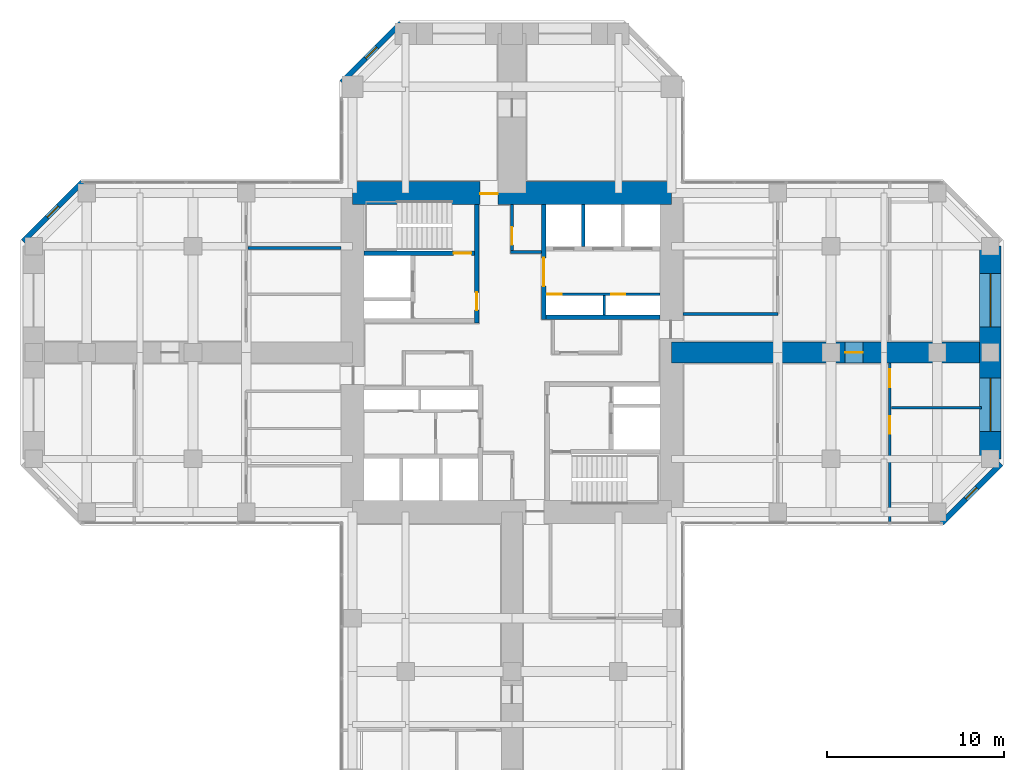
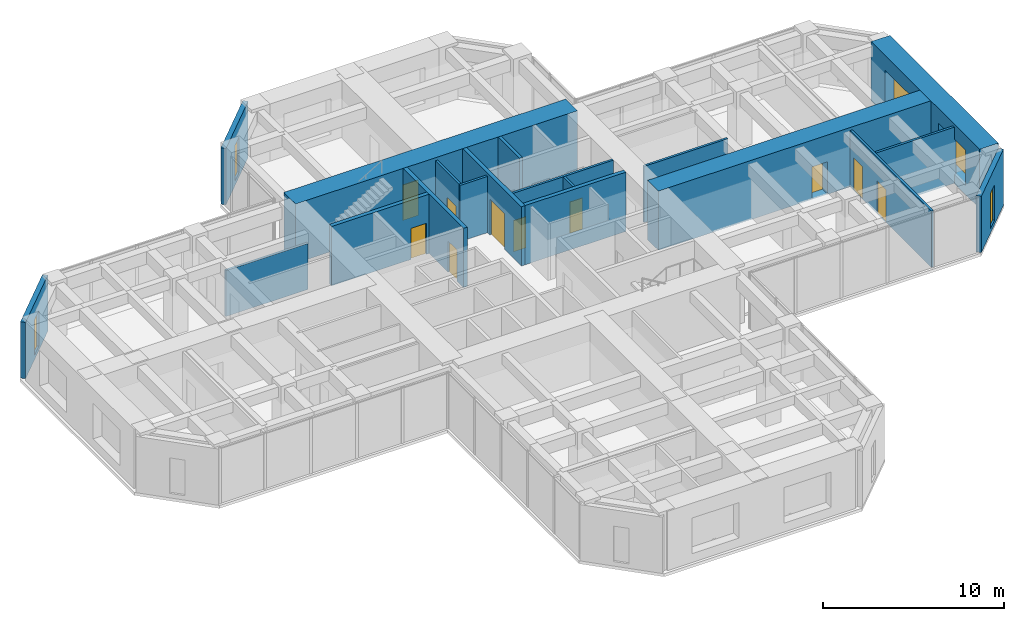
# One storey, part 10 of 12: 19 walls, 10 doors, 5 windows, 15 openings.
"""IFC4 building model written with IfcOpenShell, lengths in metres."""

from ifc_helpers import new_model, si_unit, direction, frame, frame_2d, origin, place, context, subcontext, project, spatial, rectangle, hollow_rectangle, extrude, material, layer, layer_set, constituent, constituent_set, type_object, element, fill, save


model = new_model("IFC4")

# Units and contexts
model_context = context("Model", 3, precision=1e-05, world=origin(), true_north=direction((0.0, 1.0)))
body_context = subcontext(model_context, "Body", "Model", "MODEL_VIEW")
ifc_project = project(units=[si_unit("LENGTHUNIT", "METRE"), si_unit("AREAUNIT", "SQUARE_METRE"), si_unit("VOLUMEUNIT", "CUBIC_METRE"), si_unit("PLANEANGLEUNIT", "RADIAN"), si_unit("MASSUNIT", "GRAM", prefix="KILO")], contexts=[model_context])

# Site, building, storey
site_placement = place(None, origin())
site = spatial("IfcSite", under=ifc_project, at=site_placement, CompositionType="ELEMENT")
building_placement = place(site_placement, origin())
building = spatial("IfcBuilding", under=site, at=building_placement, Name="Torre Cruceta", CompositionType="ELEMENT")
storey_placement = place(building_placement, frame((0.0, 0.0, 108.5)))
storey = spatial("IfcBuildingStorey", under=building, at=storey_placement, Name="L26", CompositionType="ELEMENT", Elevation=108.5)

# Wall, opening, door
ifc_material_1 = material(Name="Concrete G60 (fck 60 MPa)", Category="concrete")
ifc_layer_1 = layer(ifc_material_1, 0.25)
ifc_layer_set_1 = layer_set([ifc_layer_1], Name="Concrete G60 (fck 60 MPa)")
wall_type_1 = type_object("IfcWallType", Name="CORE INNER WALL 250 G60", PredefinedType="SHEAR", material=ifc_layer_set_1)
wall_1_placement = place(storey_placement, frame((1.800048828125, 1.875, 0.0), z_axis=(0.0, 0.0, 1.0), x_axis=(0.0, 1.0, 0.0)))
wall_1 = element("IfcWall", 1, at=wall_1_placement, inside=storey, type_object=wall_type_1, Name="CW4 L26 NE-CU", PredefinedType="SHEAR", context=body_context, shape_type="SweptSolid", body=[
    extrude(rectangle(XDim=6.47509765625, YDim=0.25, at=frame_2d((3.237548828125, 0.0))), origin(), (0.0, 0.0, 1.0), 4.0),
])
opening_1_placement = place(wall_1_placement, frame((1.875, 0.0, 0.0)))
opening_1 = element("IfcOpeningElement", 2, at=opening_1_placement, cuts=wall_1, Name="Opening D8", PredefinedType="OPENING", context=body_context, shape_type="SweptSolid", body=[
    extrude(rectangle(XDim=1.60009765625, YDim=2.39990234375, at=frame_2d((0.800048828125, 1.199951171875))), frame((0.0, 0.135009765625, 0.0), z_axis=(0.0, -1.0, 0.0), x_axis=(1.0, 0.0, 0.0)), (0.0, 0.0, 1.0), 0.27001953125),
])
ifc_material_2 = material(Name="Steel DX51D", Category="steel")
ifc_constituent_1 = constituent(ifc_material_2, Name="Leaf and frame")
ifc_material_3 = material(Name="Polyester powder coating", Category="paint")
ifc_constituent_2 = constituent(ifc_material_3, Name="Finish")
ifc_material_4 = material(Name="Fire-resisting glass", Category="glass")
ifc_constituent_3 = constituent(ifc_material_4, Name="Vision panel")
ifc_constituent_set_1 = constituent_set(constituents=[ifc_constituent_1, ifc_constituent_2, ifc_constituent_3], Name="Steel fire door with vision panels")
door_type_1 = type_object("IfcDoorType", Name="LIFT LOBBY DOUBLE DOOR 1600X2400", OperationType="DOUBLE_DOOR_DOUBLE_SWING", PredefinedType="DOOR", material=ifc_constituent_set_1)
door_1_placement = place(opening_1_placement, origin())
door_1 = element("IfcDoor", 3, at=door_1_placement, inside=storey, type_object=door_type_1, Name="D8 L26 NE-LOBBY", OperationType="DOUBLE_DOOR_DOUBLE_SWING", OverallHeight=2.39990234375, OverallWidth=1.60009765625, PredefinedType="DOOR", context=body_context, shape_type="SweptSolid", body=[
    extrude(rectangle(XDim=1.60009765625, YDim=2.39990234375, at=frame_2d((0.800048828125, 1.199951171875))), frame((0.0, 0.02490234375, 0.0), z_axis=(0.0, -1.0, 0.0), x_axis=(1.0, 0.0, 0.0)), (0.0, 0.0, 1.0), 0.050048828125),
])
fill(opening_1, door_1)

# Wall
wall_2_placement = place(storey_placement, frame((1.925048828125, 2.0, 0.0), z_axis=(0.0, 0.0, 1.0), x_axis=(1.0, 0.0, 0.0)))
element("IfcWall", 4, at=wall_2_placement, inside=storey, type_object=wall_type_1, Name="CW4 L26 NE-CV", PredefinedType="SHEAR", context=body_context, shape_type="SweptSolid", body=[
    extrude(rectangle(XDim=6.425048828125, YDim=0.25, at=frame_2d((3.21240234375, 0.0))), origin(), (0.0, 0.0, 1.0), 4.0),
])

# Wall, opening, door
wall_3_placement = place(storey_placement, frame((-2.0, 1.675048828125, 0.0), z_axis=(0.0, 0.0, 1.0), x_axis=(0.0, 1.0, 0.0)))
wall_3 = element("IfcWall", 5, at=wall_3_placement, inside=storey, type_object=wall_type_1, Name="CW4 L26 NW-CU", PredefinedType="SHEAR", context=body_context, shape_type="SweptSolid", body=[
    extrude(rectangle(XDim=6.675048828125, YDim=0.25, at=frame_2d((3.33740234375, 0.0))), origin(), (0.0, 0.0, 1.0), 4.0),
])
opening_2_placement = place(wall_3_placement, frame((0.72509765625, 0.0, 0.0)))
opening_2 = element("IfcOpeningElement", 6, at=opening_2_placement, cuts=wall_3, Name="Opening D3", PredefinedType="OPENING", context=body_context, shape_type="SweptSolid", body=[
    extrude(rectangle(XDim=1.0, YDim=2.10009765625, at=frame_2d((0.5, 1.050048828125))), frame((0.0, 0.135009765625, 0.0), z_axis=(0.0, -1.0, 0.0), x_axis=(1.0, 0.0, 0.0)), (0.0, 0.0, 1.0), 0.27001953125),
])
ifc_material_5 = material(Name="Steel DX51D", Category="steel")
ifc_constituent_4 = constituent(ifc_material_5, Name="Leaf and frame")
ifc_material_6 = material(Name="Polyester powder coating", Category="paint")
ifc_constituent_5 = constituent(ifc_material_6, Name="Finish")
ifc_constituent_set_2 = constituent_set(constituents=[ifc_constituent_4, ifc_constituent_5], Name="Steel fire door")
door_type_2 = type_object("IfcDoorType", Name="FIRE DOOR 1000X2100", OperationType="SINGLE_SWING_LEFT", PredefinedType="DOOR", material=ifc_constituent_set_2)
door_2_placement = place(opening_2_placement, origin())
door_2 = element("IfcDoor", 7, at=door_2_placement, inside=storey, type_object=door_type_2, Name="D3 L26 NW-LOBBY", OperationType="SINGLE_SWING_LEFT", OverallHeight=2.10009765625, OverallWidth=1.0, PredefinedType="DOOR", context=body_context, shape_type="SweptSolid", body=[
    extrude(rectangle(XDim=1.0, YDim=2.10009765625, at=frame_2d((0.5, 1.050048828125))), frame((0.0, 0.02490234375, 0.0), z_axis=(0.0, -1.0, 0.0), x_axis=(1.0, 0.0, 0.0)), (0.0, 0.0, 1.0), 0.050048828125),
])
fill(opening_2, door_2)

wall_4_placement = place(storey_placement, frame((-2.125, 5.60009765625, 0.0), z_axis=(0.0, 0.0, 1.0), x_axis=(-1.0, 0.0, 0.0)))
wall_4 = element("IfcWall", 8, at=wall_4_placement, inside=storey, type_object=wall_type_1, Name="CW4 L26 NW-SV", PredefinedType="SHEAR", context=body_context, shape_type="SweptSolid", body=[
    extrude(rectangle(XDim=6.22509765625, YDim=0.25, at=frame_2d((3.112548828125, 0.0))), origin(), (0.0, 0.0, 1.0), 4.0),
])
opening_3_placement = place(wall_4_placement, frame((0.175048828125, 0.0, 0.0)))
opening_3 = element("IfcOpeningElement", 9, at=opening_3_placement, cuts=wall_4, Name="Opening D3", PredefinedType="OPENING", context=body_context, shape_type="SweptSolid", body=[
    extrude(rectangle(XDim=1.0, YDim=2.10009765625, at=frame_2d((0.5, 1.050048828125))), frame((0.0, 0.135009765625, 0.0), z_axis=(0.0, -1.0, 0.0), x_axis=(1.0, 0.0, 0.0)), (0.0, 0.0, 1.0), 0.27001953125),
])
door_3_placement = place(opening_3_placement, frame((1.0, 0.0, 0.0), z_axis=(0.0, 0.0, 1.0), x_axis=(-1.0, 0.0, 0.0)))
door_3 = element("IfcDoor", 10, at=door_3_placement, inside=storey, type_object=door_type_2, Name="D3 L26 NW-STAIR", OperationType="SINGLE_SWING_RIGHT", OverallHeight=2.10009765625, OverallWidth=1.0, PredefinedType="DOOR", context=body_context, shape_type="SweptSolid", body=[
    extrude(rectangle(XDim=1.0, YDim=2.10009765625, at=frame_2d((0.5, 1.050048828125))), frame((0.0, 0.025146484375, 0.0), z_axis=(0.0, -1.0, 0.0), x_axis=(1.0, 0.0, 0.0)), (0.0, 0.0, 1.0), 0.050048828125),
])
fill(opening_3, door_3)

ifc_material_7 = material(Name="Concrete G60 (fck 60 MPa)", Category="concrete")
ifc_layer_2 = layer(ifc_material_7, 1.300048828125)
ifc_layer_set_2 = layer_set([ifc_layer_2], Name="Concrete G60 (fck 60 MPa)")
wall_type_2 = type_object("IfcWallType", Name="CORE WALL 1300 G60", PredefinedType="SHEAR", material=ifc_layer_set_2)
wall_5_placement = place(storey_placement, frame((9.0, 9.0, 0.0), z_axis=(0.0, 0.0, 1.0), x_axis=(-1.0, 0.0, 0.0)))
wall_5 = element("IfcWall", 11, at=wall_5_placement, inside=storey, type_object=wall_type_2, Name="CW1 L26 CW-N", PredefinedType="SHEAR", context=body_context, shape_type="SweptSolid", body=[
    extrude(rectangle(XDim=18.0, YDim=1.300048828125, at=frame_2d((9.0, 0.0))), origin(), (0.0, 0.0, 1.0), 4.0),
])
opening_4_placement = place(wall_5_placement, frame((9.800048828125, 0.0, 0.0)))
opening_4 = element("IfcOpeningElement", 12, at=opening_4_placement, cuts=wall_5, Name="Opening D4", PredefinedType="OPENING", context=body_context, shape_type="SweptSolid", body=[
    extrude(rectangle(XDim=1.0, YDim=2.39990234375, at=frame_2d((0.5, 1.199951171875))), frame((0.0, 0.659912109375, 0.0), z_axis=(0.0, -1.0, 0.0), x_axis=(1.0, 0.0, 0.0)), (0.0, 0.0, 1.0), 1.320068359375),
])
ifc_material_8 = material(Name="Steel DX51D", Category="steel")
ifc_constituent_6 = constituent(ifc_material_8, Name="Leaf and frame")
ifc_material_9 = material(Name="Polyester powder coating", Category="paint")
ifc_constituent_7 = constituent(ifc_material_9, Name="Finish")
ifc_constituent_set_3 = constituent_set(constituents=[ifc_constituent_6, ifc_constituent_7], Name="Steel fire door")
door_type_3 = type_object("IfcDoorType", Name="CORE ARM DOOR 1000X2400", OperationType="SINGLE_SWING_RIGHT", PredefinedType="DOOR", material=ifc_constituent_set_3)
door_4_placement = place(opening_4_placement, frame((1.0, 0.0, 0.0), z_axis=(0.0, 0.0, 1.0), x_axis=(-1.0, 0.0, 0.0)))
door_4 = element("IfcDoor", 13, at=door_4_placement, inside=storey, type_object=door_type_3, Name="D4 L26 CW-N", OperationType="SINGLE_SWING_RIGHT", OverallHeight=2.39990234375, OverallWidth=1.0, PredefinedType="DOOR", context=body_context, shape_type="SweptSolid", body=[
    extrude(rectangle(XDim=1.0, YDim=2.39990234375, at=frame_2d((0.5, 1.199951171875))), frame((0.0, -0.005126953125, 0.0), z_axis=(0.0, -1.0, 0.0), x_axis=(1.0, 0.0, 0.0)), (0.0, 0.0, 1.0), 0.050048828125),
])
fill(opening_4, door_4)

# Wall, opening, window
ifc_material_10 = material(Name="Concrete G30 (fck 30 MPa)", Category="concrete")
ifc_layer_3 = layer(ifc_material_10, 0.300048828125)
ifc_layer_set_3 = layer_set([ifc_layer_3], Name="Concrete G30 (fck 30 MPa)")
wall_type_3 = type_object("IfcWallType", Name="EXPOSED CONCRETE FACADE WALL 300", PredefinedType="SOLIDWALL", material=ifc_layer_set_3)
wall_6_placement = place(storey_placement, frame((24.2568359375, -9.6201171875, 0.0), z_axis=(0.0, 0.0, 1.0), x_axis=(0.707106781187, 0.707106781187, 0.0)))
wall_6 = element("IfcWall", 14, at=wall_6_placement, inside=storey, type_object=wall_type_3, Name="EW1 facade wall L26 E chamfer 01", PredefinedType="SOLIDWALL", context=body_context, shape_type="SweptSolid", body=[
    extrude(rectangle(XDim=4.72802734375, YDim=0.300048828125, at=frame_2d((2.364013671875, 0.0))), origin(), (0.0, 0.0, 1.0), 3.800048828125),
])
opening_5_placement = place(wall_6_placement, frame((1.9140625, 0.0, 0.300048828125)))
opening_5 = element("IfcOpeningElement", 15, at=opening_5_placement, cuts=wall_6, Name="Opening WN5", PredefinedType="OPENING", context=body_context, shape_type="SweptSolid", body=[
    extrude(rectangle(XDim=0.89990234375, YDim=2.39990234375, at=frame_2d((0.449951171875, 1.199951171875))), frame((0.0, 0.159912109375, 0.0), z_axis=(0.0, -1.0, 0.0), x_axis=(1.0, 0.0, 0.0)), (0.0, 0.0, 1.0), 0.320068359375),
])
ifc_material_11 = material(Name="Aluminium window frame", Category="aluminium")
ifc_constituent_8 = constituent(ifc_material_11, Name="Frame")
ifc_material_12 = material(Name="Laminated insulating glass unit, low-iron clear", Category="glass")
ifc_constituent_9 = constituent(ifc_material_12, Name="Glazing")
ifc_constituent_set_4 = constituent_set(constituents=[ifc_constituent_8, ifc_constituent_9], Name="Aluminium window")
window_type_1 = type_object("IfcWindowType", Name="CHAMFER SLOT WINDOW 900X2400", PartitioningType="SINGLE_PANEL", PredefinedType="WINDOW", material=ifc_constituent_set_4)
window_1_placement = place(opening_5_placement, origin())
window_1 = element("IfcWindow", 16, at=window_1_placement, inside=storey, type_object=window_type_1, Name="WN5 L26 E 1", OverallHeight=2.39990234375, OverallWidth=0.89990234375, PartitioningType="SINGLE_PANEL", PredefinedType="WINDOW", context=body_context, shape_type="SweptSolid", body=[
    extrude(hollow_rectangle(XDim=0.89990234375, YDim=2.39990234375, WallThickness=0.06005859375, at=frame_2d((0.449951171875, 1.199951171875))), frame((0.0, 0.030029296875, 0.0), z_axis=(0.0, -1.0, 0.0), x_axis=(1.0, 0.0, 0.0)), (0.0, 0.0, 1.0), 0.06005859375),
    extrude(rectangle(XDim=0.77880859375, YDim=2.27880859375, at=frame_2d((0.449951171875, 1.199951171875))), frame((0.0, 0.030029296875, 0.0), z_axis=(0.0, -1.0, 0.0), x_axis=(1.0, 0.0, 0.0)), (0.0, 0.0, 1.0), 0.06005859375),
])
fill(opening_5, window_1)

wall_7_placement = place(storey_placement, frame((-6.27685546875, 18.60009765625, 0.0), z_axis=(0.0, 0.0, 1.0), x_axis=(-0.707106781187, -0.707106781187, 0.0)))
wall_7 = element("IfcWall", 17, at=wall_7_placement, inside=storey, type_object=wall_type_3, Name="EW1 facade wall L26 N chamfer 08", PredefinedType="SOLIDWALL", context=body_context, shape_type="SweptSolid", body=[
    extrude(rectangle(XDim=4.72802734375, YDim=0.300048828125, at=frame_2d((2.364013671875, 0.0))), origin(), (0.0, 0.0, 1.0), 3.800048828125),
])
opening_6_placement = place(wall_7_placement, frame((1.9140625, 0.0, 0.300048828125)))
opening_6 = element("IfcOpeningElement", 18, at=opening_6_placement, cuts=wall_7, Name="Opening WN5", PredefinedType="OPENING", context=body_context, shape_type="SweptSolid", body=[
    extrude(rectangle(XDim=0.89990234375, YDim=2.39990234375, at=frame_2d((0.449951171875, 1.199951171875))), frame((0.0, 0.159912109375, 0.0), z_axis=(0.0, -1.0, 0.0), x_axis=(1.0, 0.0, 0.0)), (0.0, 0.0, 1.0), 0.320068359375),
])
window_2_placement = place(opening_6_placement, origin())
window_2 = element("IfcWindow", 19, at=window_2_placement, inside=storey, type_object=window_type_1, Name="WN5 L26 N 1", OverallHeight=2.39990234375, OverallWidth=0.89990234375, PartitioningType="SINGLE_PANEL", PredefinedType="WINDOW", context=body_context, shape_type="SweptSolid", body=[
    extrude(hollow_rectangle(XDim=0.89990234375, YDim=2.39990234375, WallThickness=0.06005859375, at=frame_2d((0.449951171875, 1.199951171875))), frame((0.0, 0.030029296875, 0.0), z_axis=(0.0, -1.0, 0.0), x_axis=(1.0, 0.0, 0.0)), (0.0, 0.0, 1.0), 0.06005859375),
    extrude(rectangle(XDim=0.77880859375, YDim=2.27880859375, at=frame_2d((0.449951171875, 1.199951171875))), frame((0.0, 0.030029296875, 0.0), z_axis=(0.0, -1.0, 0.0), x_axis=(1.0, 0.0, 0.0)), (0.0, 0.0, 1.0), 0.06005859375),
])
fill(opening_6, window_2)

wall_8_placement = place(storey_placement, frame((-24.2568359375, 9.6201171875, 0.0), z_axis=(0.0, 0.0, 1.0), x_axis=(-0.707106781187, -0.707106781187, 0.0)))
wall_8 = element("IfcWall", 20, at=wall_8_placement, inside=storey, type_object=wall_type_3, Name="EW1 facade wall L26 W chamfer 11", PredefinedType="SOLIDWALL", context=body_context, shape_type="SweptSolid", body=[
    extrude(rectangle(XDim=4.72802734375, YDim=0.300048828125, at=frame_2d((2.364013671875, 0.0))), origin(), (0.0, 0.0, 1.0), 3.800048828125),
])
opening_7_placement = place(wall_8_placement, frame((1.9140625, 0.0, 0.300048828125)))
opening_7 = element("IfcOpeningElement", 21, at=opening_7_placement, cuts=wall_8, Name="Opening WN5", PredefinedType="OPENING", context=body_context, shape_type="SweptSolid", body=[
    extrude(rectangle(XDim=0.89990234375, YDim=2.39990234375, at=frame_2d((0.449951171875, 1.199951171875))), frame((0.0, 0.159912109375, 0.0), z_axis=(0.0, -1.0, 0.0), x_axis=(1.0, 0.0, 0.0)), (0.0, 0.0, 1.0), 0.320068359375),
])
window_3_placement = place(opening_7_placement, origin())
window_3 = element("IfcWindow", 22, at=window_3_placement, inside=storey, type_object=window_type_1, Name="WN5 L26 W 1", OverallHeight=2.39990234375, OverallWidth=0.89990234375, PartitioningType="SINGLE_PANEL", PredefinedType="WINDOW", context=body_context, shape_type="SweptSolid", body=[
    extrude(hollow_rectangle(XDim=0.89990234375, YDim=2.39990234375, WallThickness=0.06005859375, at=frame_2d((0.449951171875, 1.199951171875))), frame((0.0, 0.030029296875, 0.0), z_axis=(0.0, -1.0, 0.0), x_axis=(1.0, 0.0, 0.0)), (0.0, 0.0, 1.0), 0.06005859375),
    extrude(rectangle(XDim=0.77880859375, YDim=2.27880859375, at=frame_2d((0.449951171875, 1.199951171875))), frame((0.0, 0.030029296875, 0.0), z_axis=(0.0, -1.0, 0.0), x_axis=(1.0, 0.0, 0.0)), (0.0, 0.0, 1.0), 0.06005859375),
])
fill(opening_7, window_3)

# Wall
ifc_material_13 = material(Name="Concrete G35 (fck 35 MPa)", Category="concrete")
ifc_layer_4 = layer(ifc_material_13, 0.199951171875)
ifc_layer_set_4 = layer_set([ifc_layer_4], Name="Concrete G35 (fck 35 MPa)")
wall_type_4 = type_object("IfcWallType", Name="LIFT SHAFT WALL 200", PredefinedType="PARTITIONING", material=ifc_layer_set_4)
wall_9_placement = place(storey_placement, frame((4.033447265625, 5.97509765625, 0.0), z_axis=(0.0, 0.0, 1.0), x_axis=(0.0, 1.0, 0.0)))
element("IfcWall", 23, at=wall_9_placement, inside=storey, type_object=wall_type_4, Name="SW1 L26 NE-LS1", PredefinedType="PARTITIONING", context=body_context, shape_type="SweptSolid", body=[
    extrude(rectangle(XDim=2.375, YDim=0.199951171875, at=frame_2d((1.1875, 0.0))), origin(), (0.0, 0.0, 1.0), 4.0),
])

# Wall, openings, windows
ifc_material_14 = material(Name="Concrete G60 (fck 60 MPa)", Category="concrete")
ifc_layer_5 = layer(ifc_material_14, 1.199951171875)
ifc_layer_set_5 = layer_set([ifc_layer_5], Name="Concrete G60 (fck 60 MPa)")
wall_type_5 = type_object("IfcWallType", Name="NOSE WALL 1200 G60", PredefinedType="SHEAR", material=ifc_layer_set_5)
wall_10_placement = place(storey_placement, frame((27.0, -6.0, 0.0), z_axis=(0.0, 0.0, 1.0), x_axis=(0.0, 1.0, 0.0)))
wall_10 = element("IfcWall", 24, at=wall_10_placement, inside=storey, type_object=wall_type_5, Name="NW1 nose wall L26 E", PredefinedType="SHEAR", context=body_context, shape_type="SweptSolid", body=[
    extrude(rectangle(XDim=12.0, YDim=1.199951171875, at=frame_2d((6.0, 0.0))), origin(), (0.0, 0.0, 1.0), 4.0),
])
opening_8_placement = place(wall_10_placement, frame((1.550048828125, 0.0, 0.60009765625)))
opening_8 = element("IfcOpeningElement", 25, at=opening_8_placement, cuts=wall_10, Name="Opening WN6", PredefinedType="OPENING", context=body_context, shape_type="SweptSolid", body=[
    extrude(rectangle(XDim=3.0, YDim=2.39990234375, at=frame_2d((1.5, 1.199951171875))), frame((0.0, 0.60986328125, 0.0), z_axis=(0.0, -1.0, 0.0), x_axis=(1.0, 0.0, 0.0)), (0.0, 0.0, 1.0), 1.219970703125),
])
opening_9_placement = place(wall_10_placement, frame((7.449951171875, 0.0, 0.60009765625)))
opening_9 = element("IfcOpeningElement", 26, at=opening_9_placement, cuts=wall_10, Name="Opening WN6", PredefinedType="OPENING", context=body_context, shape_type="SweptSolid", body=[
    extrude(rectangle(XDim=3.0, YDim=2.39990234375, at=frame_2d((1.5, 1.199951171875))), frame((0.0, 0.60986328125, 0.0), z_axis=(0.0, -1.0, 0.0), x_axis=(1.0, 0.0, 0.0)), (0.0, 0.0, 1.0), 1.219970703125),
])
ifc_material_15 = material(Name="Aluminium window frame", Category="aluminium")
ifc_constituent_10 = constituent(ifc_material_15, Name="Frame")
ifc_material_16 = material(Name="Laminated insulating glass unit, low-iron clear", Category="glass")
ifc_constituent_11 = constituent(ifc_material_16, Name="Glazing")
ifc_constituent_set_5 = constituent_set(constituents=[ifc_constituent_10, ifc_constituent_11], Name="Aluminium window")
window_type_2 = type_object("IfcWindowType", Name="NOSE WALL WINDOW 3000X2400", PartitioningType="SINGLE_PANEL", PredefinedType="WINDOW", material=ifc_constituent_set_5)
window_4_placement = place(opening_8_placement, origin())
window_4 = element("IfcWindow", 27, at=window_4_placement, inside=storey, type_object=window_type_2, Name="WN6 L26 E 1", OverallHeight=2.39990234375, OverallWidth=3.0, PartitioningType="SINGLE_PANEL", PredefinedType="WINDOW", context=body_context, shape_type="SweptSolid", body=[
    extrude(hollow_rectangle(XDim=3.0, YDim=2.39990234375, WallThickness=0.06005859375, at=frame_2d((1.5, 1.199951171875))), frame((0.0, 0.030029296875, 0.0), z_axis=(0.0, -1.0, 0.0), x_axis=(1.0, 0.0, 0.0)), (0.0, 0.0, 1.0), 0.06005859375),
    extrude(rectangle(XDim=2.87890625, YDim=2.27880859375, at=frame_2d((1.5, 1.199951171875))), frame((0.0, 0.030029296875, 0.0), z_axis=(0.0, -1.0, 0.0), x_axis=(1.0, 0.0, 0.0)), (0.0, 0.0, 1.0), 0.06005859375),
])
fill(opening_8, window_4)
window_5_placement = place(opening_9_placement, origin())
window_5 = element("IfcWindow", 28, at=window_5_placement, inside=storey, type_object=window_type_2, Name="WN6 L26 E 2", OverallHeight=2.39990234375, OverallWidth=3.0, PartitioningType="SINGLE_PANEL", PredefinedType="WINDOW", context=body_context, shape_type="SweptSolid", body=[
    extrude(hollow_rectangle(XDim=3.0, YDim=2.39990234375, WallThickness=0.06005859375, at=frame_2d((1.5, 1.199951171875))), frame((0.0, 0.030029296875, 0.0), z_axis=(0.0, -1.0, 0.0), x_axis=(1.0, 0.0, 0.0)), (0.0, 0.0, 1.0), 0.06005859375),
    extrude(rectangle(XDim=2.87890625, YDim=2.27880859375, at=frame_2d((1.5, 1.199951171875))), frame((0.0, 0.030029296875, 0.0), z_axis=(0.0, -1.0, 0.0), x_axis=(1.0, 0.0, 0.0)), (0.0, 0.0, 1.0), 0.06005859375),
])
fill(opening_9, window_5)

# Wall, opening, door
ifc_material_17 = material(Name="Plasterboard on steel studs", Category="steel")
ifc_layer_6 = layer(ifc_material_17, 0.14990234375)
ifc_layer_set_6 = layer_set([ifc_layer_6], Name="Plasterboard on steel studs")
wall_type_6 = type_object("IfcWallType", Name="PARTITION 150", PredefinedType="PARTITIONING", material=ifc_layer_set_6)
wall_11_placement = place(storey_placement, frame((0.0, 5.675048828125, 0.0), z_axis=(0.0, 0.0, 1.0), x_axis=(0.0, 1.0, 0.0)))
wall_11 = element("IfcWall", 29, at=wall_11_placement, inside=storey, type_object=wall_type_6, Name="PT1 L26-CORE-LEGN-E-W1", PredefinedType="PARTITIONING", context=body_context, shape_type="SweptSolid", body=[
    extrude(rectangle(XDim=2.675048828125, YDim=0.14990234375, at=frame_2d((1.33740234375, 0.0))), origin(), (0.0, 0.0, 1.0), 3.800048828125),
])
opening_10_placement = place(wall_11_placement, frame((0.39990234375, 0.0, 0.0)))
opening_10 = element("IfcOpeningElement", 30, at=opening_10_placement, cuts=wall_11, Name="Opening D3", PredefinedType="OPENING", context=body_context, shape_type="SweptSolid", body=[
    extrude(rectangle(XDim=1.0, YDim=2.10009765625, at=frame_2d((0.5, 1.050048828125))), frame((0.0, 0.0849609375, 0.0), z_axis=(0.0, -1.0, 0.0), x_axis=(1.0, 0.0, 0.0)), (0.0, 0.0, 1.0), 0.169921875),
])
door_5_placement = place(opening_10_placement, frame((1.0, 0.0, 0.0), z_axis=(0.0, 0.0, 1.0), x_axis=(-1.0, 0.0, 0.0)))
door_5 = element("IfcDoor", 31, at=door_5_placement, inside=storey, type_object=door_type_2, Name="D3 L26-CORE-LEGN-E-W1-D1", OperationType="SINGLE_SWING_RIGHT", OverallHeight=2.10009765625, OverallWidth=1.0, PredefinedType="DOOR", context=body_context, shape_type="SweptSolid", body=[
    extrude(rectangle(XDim=1.0, YDim=2.10009765625, at=frame_2d((0.5, 1.050048828125))), frame((0.0, 0.025146484375, 0.0), z_axis=(0.0, -1.0, 0.0), x_axis=(1.0, 0.0, 0.0)), (0.0, 0.0, 1.0), 0.050048828125),
])
fill(opening_10, door_5)

# Walls
wall_12_placement = place(storey_placement, frame((1.675048828125, 5.675048828125, 0.0), z_axis=(0.0, 0.0, 1.0), x_axis=(-1.0, 0.0, 0.0)))
element("IfcWall", 32, at=wall_12_placement, inside=storey, type_object=wall_type_6, Name="PT1 L26-CORE-LEGN-E-W2", PredefinedType="PARTITIONING", context=body_context, shape_type="SweptSolid", body=[
    extrude(rectangle(XDim=1.75, YDim=0.14990234375, at=frame_2d((0.875, 0.0))), origin(), (0.0, 0.0, 1.0), 3.800048828125),
])
wall_13_placement = place(storey_placement, frame((9.64990234375, 2.175048828125, 0.0), z_axis=(0.0, 0.0, 1.0), x_axis=(1.0, 0.0, 0.0)))
element("IfcWall", 33, at=wall_13_placement, inside=storey, type_object=wall_type_6, Name="PT1 L26-E-BSL", PredefinedType="PARTITIONING", context=body_context, shape_type="SweptSolid", body=[
    extrude(rectangle(XDim=5.35009765625, YDim=0.14990234375, at=frame_2d((2.675048828125, 0.0))), origin(), (0.0, 0.0, 1.0), 3.800048828125),
])
wall_14_placement = place(storey_placement, frame((21.419921875, -3.117919921875, 0.0), z_axis=(0.0, 0.0, 1.0), x_axis=(1.0, 0.0, 0.0)))
element("IfcWall", 34, at=wall_14_placement, inside=storey, type_object=wall_type_6, Name="PT1 L26-E-TDR", PredefinedType="PARTITIONING", context=body_context, shape_type="SweptSolid", body=[
    extrude(rectangle(XDim=5.080078125, YDim=0.14990234375, at=frame_2d((2.5400390625, 0.0))), origin(), (0.0, 0.0, 1.0), 3.800048828125),
])

# Wall, openings, doors
wall_15_placement = place(storey_placement, frame((21.320068359375, -9.580078125, 0.0), z_axis=(0.0, 0.0, 1.0), x_axis=(0.0, 1.0, 0.0)))
wall_15 = element("IfcWall", 35, at=wall_15_placement, inside=storey, type_object=wall_type_6, Name="PT1 L26-E-TWR", PredefinedType="PARTITIONING", context=body_context, shape_type="SweptSolid", body=[
    extrude(rectangle(XDim=8.97998046875, YDim=0.14990234375, at=frame_2d((4.489990234375, 0.0))), origin(), (0.0, 0.0, 1.0), 3.800048828125),
])
opening_11_placement = place(wall_15_placement, frame((4.987060546875, 0.0, 0.0)))
opening_11 = element("IfcOpeningElement", 36, at=opening_11_placement, cuts=wall_15, Name="Opening D14", PredefinedType="OPENING", context=body_context, shape_type="SweptSolid", body=[
    extrude(rectangle(XDim=1.0, YDim=2.199951171875, at=frame_2d((0.5, 1.10009765625))), frame((0.0, 0.0849609375, 0.0), z_axis=(0.0, -1.0, 0.0), x_axis=(1.0, 0.0, 0.0)), (0.0, 0.0, 1.0), 0.169921875),
])
opening_12_placement = place(wall_15_placement, frame((7.6298828125, 0.0, 0.0)))
opening_12 = element("IfcOpeningElement", 37, at=opening_12_placement, cuts=wall_15, Name="Opening D14", PredefinedType="OPENING", context=body_context, shape_type="SweptSolid", body=[
    extrude(rectangle(XDim=1.0, YDim=2.199951171875, at=frame_2d((0.5, 1.10009765625))), frame((0.0, 0.0849609375, 0.0), z_axis=(0.0, -1.0, 0.0), x_axis=(1.0, 0.0, 0.0)), (0.0, 0.0, 1.0), 0.169921875),
])
ifc_material_18 = material(Name="Steel DX51D", Category="steel")
ifc_constituent_12 = constituent(ifc_material_18, Name="Leaf and frame")
ifc_material_19 = material(Name="Polyester powder coating", Category="paint")
ifc_constituent_13 = constituent(ifc_material_19, Name="Finish")
ifc_material_20 = material(Name="Fire-resisting glass", Category="glass")
ifc_constituent_14 = constituent(ifc_material_20, Name="Vision panel")
ifc_constituent_set_6 = constituent_set(constituents=[ifc_constituent_12, ifc_constituent_13, ifc_constituent_14], Name="Steel fire door with vision panel")
door_type_4 = type_object("IfcDoorType", Name="FIRE DOOR VISION PANEL 1000X2200", OperationType="SINGLE_SWING_RIGHT", PredefinedType="DOOR", material=ifc_constituent_set_6)
door_6_placement = place(opening_11_placement, frame((1.0, 0.0, 0.0), z_axis=(0.0, 0.0, 1.0), x_axis=(-1.0, 0.0, 0.0)))
door_6 = element("IfcDoor", 38, at=door_6_placement, inside=storey, type_object=door_type_4, Name="D14 L26-E-TWR-D1", OperationType="SINGLE_SWING_LEFT", OverallHeight=2.199951171875, OverallWidth=1.0, PredefinedType="DOOR", context=body_context, shape_type="SweptSolid", body=[
    extrude(rectangle(XDim=1.0, YDim=2.199951171875, at=frame_2d((0.5, 1.10009765625))), frame((0.0, 0.025146484375, 0.0), z_axis=(0.0, -1.0, 0.0), x_axis=(1.0, 0.0, 0.0)), (0.0, 0.0, 1.0), 0.050048828125),
])
fill(opening_11, door_6)
door_7_placement = place(opening_12_placement, frame((1.0, 0.0, 0.0), z_axis=(0.0, 0.0, 1.0), x_axis=(-1.0, 0.0, 0.0)))
door_7 = element("IfcDoor", 39, at=door_7_placement, inside=storey, type_object=door_type_4, Name="D14 L26-E-TWR-D2", OperationType="SINGLE_SWING_LEFT", OverallHeight=2.199951171875, OverallWidth=1.0, PredefinedType="DOOR", context=body_context, shape_type="SweptSolid", body=[
    extrude(rectangle(XDim=1.0, YDim=2.199951171875, at=frame_2d((0.5, 1.10009765625))), frame((0.0, 0.025146484375, 0.0), z_axis=(0.0, -1.0, 0.0), x_axis=(1.0, 0.0, 0.0)), (0.0, 0.0, 1.0), 0.050048828125),
])
fill(opening_12, door_7)

# Wall
wall_16_placement = place(storey_placement, frame((-9.64990234375, 5.89990234375, 0.0), z_axis=(0.0, 0.0, 1.0), x_axis=(-1.0, 0.0, 0.0)))
element("IfcWall", 40, at=wall_16_placement, inside=storey, type_object=wall_type_6, Name="PT1 L26-W-BDR2", PredefinedType="PARTITIONING", context=body_context, shape_type="SweptSolid", body=[
    extrude(rectangle(XDim=5.25, YDim=0.14990234375, at=frame_2d((2.625, 0.0))), origin(), (0.0, 0.0, 1.0), 3.10009765625),
])

# Wall, openings, doors
ifc_material_21 = material(Name="Concrete block masonry", Category="masonry")
ifc_layer_7 = layer(ifc_material_21, 0.14990234375)
ifc_layer_set_7 = layer_set([ifc_layer_7], Name="Concrete block masonry")
wall_type_7 = type_object("IfcWallType", Name="RISER WALL 150", PredefinedType="PARTITIONING", material=ifc_layer_set_7)
wall_17_placement = place(storey_placement, frame((1.925048828125, 3.300048828125, 0.0), z_axis=(0.0, 0.0, 1.0), x_axis=(1.0, 0.0, 0.0)))
wall_17 = element("IfcWall", 41, at=wall_17_placement, inside=storey, type_object=wall_type_7, Name="SW7 L26 NE-RV", PredefinedType="PARTITIONING", context=body_context, shape_type="SweptSolid", body=[
    extrude(rectangle(XDim=6.425048828125, YDim=0.14990234375, at=frame_2d((3.21240234375, 0.0))), origin(), (0.0, 0.0, 1.0), 4.0),
])
opening_13_placement = place(wall_17_placement, frame((0.074951171875, 0.0, 0.0)))
opening_13 = element("IfcOpeningElement", 42, at=opening_13_placement, cuts=wall_17, Name="Opening D5", PredefinedType="OPENING", context=body_context, shape_type="SweptSolid", body=[
    extrude(rectangle(XDim=0.800048828125, YDim=2.10009765625, at=frame_2d((0.39990234375, 1.050048828125))), frame((0.0, 0.0849609375, 0.0), z_axis=(0.0, -1.0, 0.0), x_axis=(1.0, 0.0, 0.0)), (0.0, 0.0, 1.0), 0.169921875),
])
opening_14_placement = place(wall_17_placement, frame((3.675048828125, 0.0, 0.0)))
opening_14 = element("IfcOpeningElement", 43, at=opening_14_placement, cuts=wall_17, Name="Opening D5", PredefinedType="OPENING", context=body_context, shape_type="SweptSolid", body=[
    extrude(rectangle(XDim=0.800048828125, YDim=2.10009765625, at=frame_2d((0.39990234375, 1.050048828125))), frame((0.0, 0.0849609375, 0.0), z_axis=(0.0, -1.0, 0.0), x_axis=(1.0, 0.0, 0.0)), (0.0, 0.0, 1.0), 0.169921875),
])
ifc_material_22 = material(Name="Steel DX51D", Category="steel")
ifc_constituent_15 = constituent(ifc_material_22, Name="Leaf and frame")
ifc_material_23 = material(Name="Polyester powder coating", Category="paint")
ifc_constituent_16 = constituent(ifc_material_23, Name="Finish")
ifc_constituent_set_7 = constituent_set(constituents=[ifc_constituent_15, ifc_constituent_16], Name="Steel fire door")
door_type_5 = type_object("IfcDoorType", Name="RISER ACCESS DOOR 800X2100", OperationType="SINGLE_SWING_LEFT", PredefinedType="DOOR", material=ifc_constituent_set_7)
door_8_placement = place(opening_13_placement, frame((0.800048828125, 0.0, 0.0), z_axis=(0.0, 0.0, 1.0), x_axis=(-1.0, 0.0, 0.0)))
door_8 = element("IfcDoor", 44, at=door_8_placement, inside=storey, type_object=door_type_5, Name="D5 L26 NE-RISER1", OperationType="SINGLE_SWING_RIGHT", OverallHeight=2.10009765625, OverallWidth=0.800048828125, PredefinedType="DOOR", context=body_context, shape_type="SweptSolid", body=[
    extrude(rectangle(XDim=0.800048828125, YDim=2.10009765625, at=frame_2d((0.400146484375, 1.050048828125))), frame((0.0, 0.025146484375, 0.0), z_axis=(0.0, -1.0, 0.0), x_axis=(1.0, 0.0, 0.0)), (0.0, 0.0, 1.0), 0.050048828125),
])
fill(opening_13, door_8)
door_9_placement = place(opening_14_placement, frame((0.800048828125, 0.0, 0.0), z_axis=(0.0, 0.0, 1.0), x_axis=(-1.0, 0.0, 0.0)))
door_9 = element("IfcDoor", 45, at=door_9_placement, inside=storey, type_object=door_type_5, Name="D5 L26 NE-RISER2", OperationType="SINGLE_SWING_RIGHT", OverallHeight=2.10009765625, OverallWidth=0.800048828125, PredefinedType="DOOR", context=body_context, shape_type="SweptSolid", body=[
    extrude(rectangle(XDim=0.800048828125, YDim=2.10009765625, at=frame_2d((0.400146484375, 1.050048828125))), frame((0.0, 0.025146484375, 0.0), z_axis=(0.0, -1.0, 0.0), x_axis=(1.0, 0.0, 0.0)), (0.0, 0.0, 1.0), 0.050048828125),
])
fill(opening_14, door_9)

# Wall
wall_18_placement = place(storey_placement, frame((5.199951171875, 2.125, 0.0), z_axis=(0.0, 0.0, 1.0), x_axis=(0.0, 1.0, 0.0)))
element("IfcWall", 46, at=wall_18_placement, inside=storey, type_object=wall_type_7, Name="SW7 L26 NE-RU", PredefinedType="PARTITIONING", context=body_context, shape_type="SweptSolid", body=[
    extrude(rectangle(XDim=1.10009765625, YDim=0.14990234375, at=frame_2d((0.550048828125, 0.0))), origin(), (0.0, 0.0, 1.0), 4.0),
])

# Wall, opening, door
ifc_material_24 = material(Name="Concrete G60 (fck 60 MPa)", Category="concrete")
ifc_layer_8 = layer(ifc_material_24, 1.199951171875)
ifc_layer_set_8 = layer_set([ifc_layer_8], Name="Concrete G60 (fck 60 MPa)")
wall_type_8 = type_object("IfcWallType", Name="SPINE WALL 1200 G60", PredefinedType="SHEAR", material=ifc_layer_set_8)
wall_19_placement = place(storey_placement, frame((9.0, 0.0, 0.0), z_axis=(0.0, 0.0, 1.0), x_axis=(1.0, 0.0, 0.0)))
wall_19 = element("IfcWall", 47, at=wall_19_placement, inside=storey, type_object=wall_type_8, Name="SW3 spine wall L26 E", PredefinedType="SHEAR", context=body_context, shape_type="SweptSolid", body=[
    extrude(rectangle(XDim=18.0, YDim=1.199951171875, at=frame_2d((9.0, 0.0))), origin(), (0.0, 0.0, 1.0), 4.0),
])
opening_15_placement = place(wall_19_placement, frame((9.800048828125, 0.0, 0.0)))
opening_15 = element("IfcOpeningElement", 48, at=opening_15_placement, cuts=wall_19, Name="Opening D14", PredefinedType="OPENING", context=body_context, shape_type="SweptSolid", body=[
    extrude(rectangle(XDim=1.0, YDim=2.199951171875, at=frame_2d((0.5, 1.10009765625))), frame((0.0, 0.60986328125, 0.0), z_axis=(0.0, -1.0, 0.0), x_axis=(1.0, 0.0, 0.0)), (0.0, 0.0, 1.0), 1.219970703125),
])
door_10_placement = place(opening_15_placement, frame((1.0, 0.0, 0.0), z_axis=(0.0, 0.0, 1.0), x_axis=(-1.0, 0.0, 0.0)))
door_10 = element("IfcDoor", 49, at=door_10_placement, inside=storey, type_object=door_type_4, Name="D14 L26-E-SP1", OperationType="SINGLE_SWING_LEFT", OverallHeight=2.199951171875, OverallWidth=1.0, PredefinedType="DOOR", context=body_context, shape_type="SweptSolid", body=[
    extrude(rectangle(XDim=1.0, YDim=2.199951171875, at=frame_2d((0.5, 1.10009765625))), frame((0.0, 0.025146484375, 0.0), z_axis=(0.0, -1.0, 0.0), x_axis=(1.0, 0.0, 0.0)), (0.0, 0.0, 1.0), 0.050048828125),
])
fill(opening_15, door_10)

save(model, "model.ifc")
